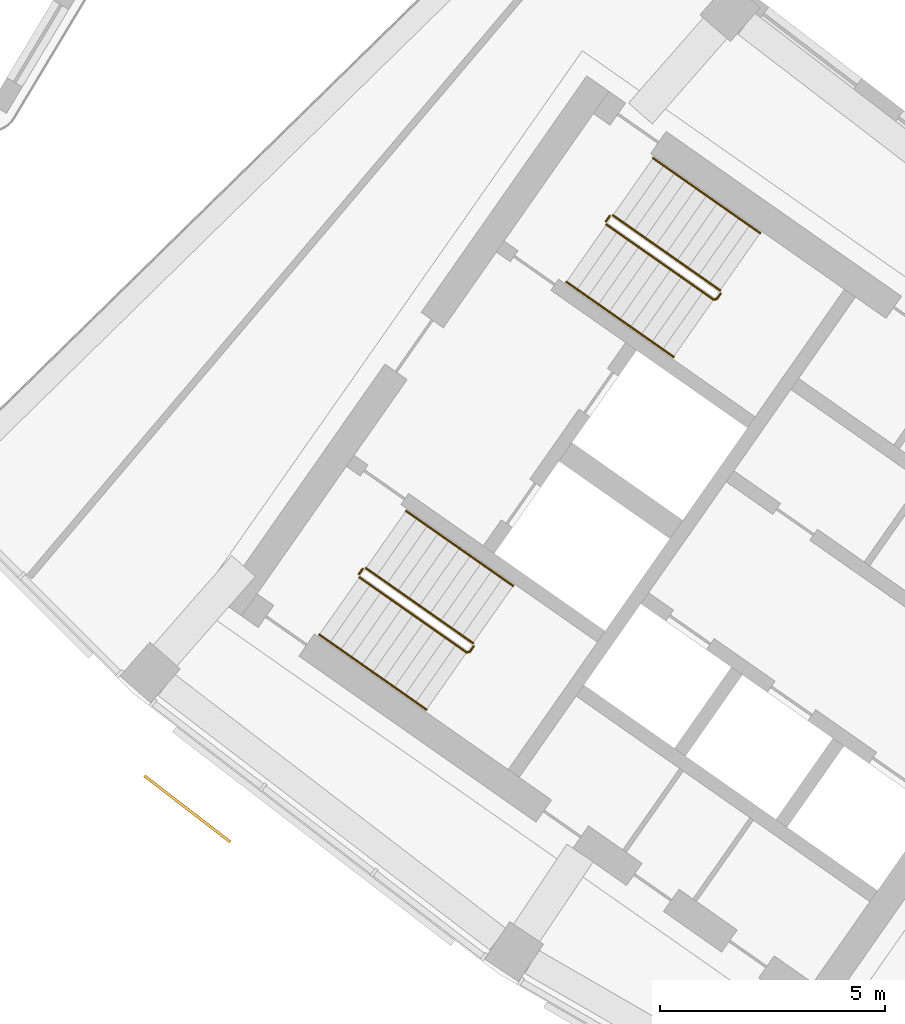
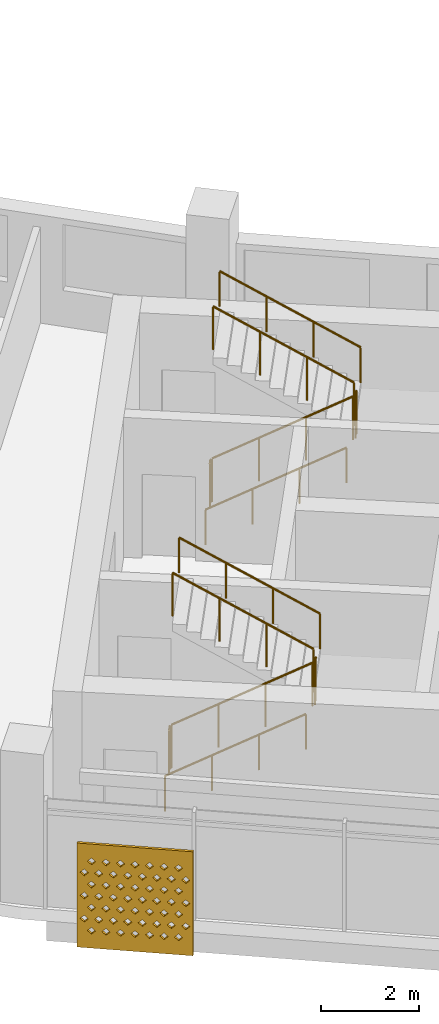
# One storey, part 24 of 29: 10 railings, 1 shading device.
"""IFC4 building model written with IfcOpenShell, lengths in metres."""

from ifc_helpers import new_model, si_unit, direction, frame, origin, origin_2d, place, context, subcontext, project, spatial, polyline, circle, outline, extrude, material, material_profile, profile_set, type_object, element, save


model = new_model("IFC4")

# Units and contexts
model_context = context("Model", 3, precision=1e-05, world=origin(), true_north=direction((0.0, 1.0)))
body_context = subcontext(model_context, "Body", "Model", "MODEL_VIEW")
ifc_project = project(units=[si_unit("LENGTHUNIT", "METRE"), si_unit("AREAUNIT", "SQUARE_METRE"), si_unit("VOLUMEUNIT", "CUBIC_METRE"), si_unit("PLANEANGLEUNIT", "RADIAN"), si_unit("MASSUNIT", "GRAM", prefix="KILO")], contexts=[model_context])

# Site, building, storey
site_placement = place(None, origin())
site = spatial("IfcSite", under=ifc_project, at=site_placement, CompositionType="ELEMENT")
building_placement = place(site_placement, origin())
building = spatial("IfcBuilding", under=site, at=building_placement, Name="Qamariyya Broadcast Tower", CompositionType="ELEMENT")
storey_placement = place(building_placement, frame((0.0, 0.0, 261.89990234375)))
storey = spatial("IfcBuildingStorey", under=building, at=storey_placement, Name="L63", CompositionType="ELEMENT", Elevation=261.89990234375)

# Shading device
ifc_material_1 = material(Name="Perforated glazed terracotta", Category="masonry")
ifc_material_profile = material_profile(ifc_material_1, outline(polyline([(-1.199951171875, -1.300048828125), (1.199951171875, -1.300048828125), (1.199951171875, 1.300048828125), (-1.199951171875, 1.300048828125), (-1.199951171875, -1.300048828125)]), holes=[polyline([(-0.81494140625, -0.86669921875), (-0.89990234375, -0.78173828125), (-0.985107421875, -0.86669921875), (-0.89990234375, -0.95166015625), (-0.81494140625, -0.86669921875)]), polyline([(-0.514892578125, -0.86669921875), (-0.60009765625, -0.78173828125), (-0.68505859375, -0.86669921875), (-0.60009765625, -0.95166015625), (-0.514892578125, -0.86669921875)]), polyline([(-0.215087890625, -0.86669921875), (-0.300048828125, -0.78173828125), (-0.385009765625, -0.86669921875), (-0.300048828125, -0.95166015625), (-0.215087890625, -0.86669921875)]), polyline([(0.0849609375, -0.86669921875), (0.0, -0.78173828125), (-0.0849609375, -0.86669921875), (0.0, -0.95166015625), (0.0849609375, -0.86669921875)]), polyline([(0.385009765625, -0.86669921875), (0.300048828125, -0.78173828125), (0.215087890625, -0.86669921875), (0.300048828125, -0.95166015625), (0.385009765625, -0.86669921875)]), polyline([(0.68505859375, -0.86669921875), (0.60009765625, -0.78173828125), (0.514892578125, -0.86669921875), (0.60009765625, -0.95166015625), (0.68505859375, -0.86669921875)]), polyline([(0.985107421875, -0.86669921875), (0.89990234375, -0.78173828125), (0.81494140625, -0.86669921875), (0.89990234375, -0.95166015625), (0.985107421875, -0.86669921875)]), polyline([(-0.965087890625, -0.577880859375), (-1.050048828125, -0.49267578125), (-1.135009765625, -0.577880859375), (-1.050048828125, -0.662841796875), (-0.965087890625, -0.577880859375)]), polyline([(-0.6650390625, -0.577880859375), (-0.75, -0.49267578125), (-0.8349609375, -0.577880859375), (-0.75, -0.662841796875), (-0.6650390625, -0.577880859375)]), polyline([(-0.364990234375, -0.577880859375), (-0.449951171875, -0.49267578125), (-0.534912109375, -0.577880859375), (-0.449951171875, -0.662841796875), (-0.364990234375, -0.577880859375)]), polyline([(-0.06494140625, -0.577880859375), (-0.14990234375, -0.49267578125), (-0.235107421875, -0.577880859375), (-0.14990234375, -0.662841796875), (-0.06494140625, -0.577880859375)]), polyline([(0.235107421875, -0.577880859375), (0.14990234375, -0.49267578125), (0.06494140625, -0.577880859375), (0.14990234375, -0.662841796875), (0.235107421875, -0.577880859375)]), polyline([(0.534912109375, -0.577880859375), (0.449951171875, -0.49267578125), (0.364990234375, -0.577880859375), (0.449951171875, -0.662841796875), (0.534912109375, -0.577880859375)]), polyline([(0.8349609375, -0.577880859375), (0.75, -0.49267578125), (0.6650390625, -0.577880859375), (0.75, -0.662841796875), (0.8349609375, -0.577880859375)]), polyline([(1.135009765625, -0.577880859375), (1.050048828125, -0.49267578125), (0.965087890625, -0.577880859375), (1.050048828125, -0.662841796875), (1.135009765625, -0.577880859375)]), polyline([(-0.81494140625, -0.288818359375), (-0.89990234375, -0.203857421875), (-0.985107421875, -0.288818359375), (-0.89990234375, -0.373779296875), (-0.81494140625, -0.288818359375)]), polyline([(-0.514892578125, -0.288818359375), (-0.60009765625, -0.203857421875), (-0.68505859375, -0.288818359375), (-0.60009765625, -0.373779296875), (-0.514892578125, -0.288818359375)]), polyline([(-0.215087890625, -0.288818359375), (-0.300048828125, -0.203857421875), (-0.385009765625, -0.288818359375), (-0.300048828125, -0.373779296875), (-0.215087890625, -0.288818359375)]), polyline([(0.0849609375, -0.288818359375), (0.0, -0.203857421875), (-0.0849609375, -0.288818359375), (0.0, -0.373779296875), (0.0849609375, -0.288818359375)]), polyline([(0.385009765625, -0.288818359375), (0.300048828125, -0.203857421875), (0.215087890625, -0.288818359375), (0.300048828125, -0.373779296875), (0.385009765625, -0.288818359375)]), polyline([(0.68505859375, -0.288818359375), (0.60009765625, -0.203857421875), (0.514892578125, -0.288818359375), (0.60009765625, -0.373779296875), (0.68505859375, -0.288818359375)]), polyline([(0.985107421875, -0.288818359375), (0.89990234375, -0.203857421875), (0.81494140625, -0.288818359375), (0.89990234375, -0.373779296875), (0.985107421875, -0.288818359375)]), polyline([(-0.965087890625, 0.0), (-1.050048828125, 0.0849609375), (-1.135009765625, 0.0), (-1.050048828125, -0.0849609375), (-0.965087890625, 0.0)]), polyline([(-0.6650390625, 0.0), (-0.75, 0.0849609375), (-0.8349609375, 0.0), (-0.75, -0.0849609375), (-0.6650390625, 0.0)]), polyline([(-0.364990234375, 0.0), (-0.449951171875, 0.0849609375), (-0.534912109375, 0.0), (-0.449951171875, -0.0849609375), (-0.364990234375, 0.0)]), polyline([(-0.06494140625, 0.0), (-0.14990234375, 0.0849609375), (-0.235107421875, 0.0), (-0.14990234375, -0.0849609375), (-0.06494140625, 0.0)]), polyline([(0.235107421875, 0.0), (0.14990234375, 0.0849609375), (0.06494140625, 0.0), (0.14990234375, -0.0849609375), (0.235107421875, 0.0)]), polyline([(0.534912109375, 0.0), (0.449951171875, 0.0849609375), (0.364990234375, 0.0), (0.449951171875, -0.0849609375), (0.534912109375, 0.0)]), polyline([(0.8349609375, 0.0), (0.75, 0.0849609375), (0.6650390625, 0.0), (0.75, -0.0849609375), (0.8349609375, 0.0)]), polyline([(1.135009765625, 0.0), (1.050048828125, 0.0849609375), (0.965087890625, 0.0), (1.050048828125, -0.0849609375), (1.135009765625, 0.0)]), polyline([(-0.81494140625, 0.288818359375), (-0.89990234375, 0.373779296875), (-0.985107421875, 0.288818359375), (-0.89990234375, 0.203857421875), (-0.81494140625, 0.288818359375)]), polyline([(-0.514892578125, 0.288818359375), (-0.60009765625, 0.373779296875), (-0.68505859375, 0.288818359375), (-0.60009765625, 0.203857421875), (-0.514892578125, 0.288818359375)]), polyline([(-0.215087890625, 0.288818359375), (-0.300048828125, 0.373779296875), (-0.385009765625, 0.288818359375), (-0.300048828125, 0.203857421875), (-0.215087890625, 0.288818359375)]), polyline([(0.0849609375, 0.288818359375), (0.0, 0.373779296875), (-0.0849609375, 0.288818359375), (0.0, 0.203857421875), (0.0849609375, 0.288818359375)]), polyline([(0.385009765625, 0.288818359375), (0.300048828125, 0.373779296875), (0.215087890625, 0.288818359375), (0.300048828125, 0.203857421875), (0.385009765625, 0.288818359375)]), polyline([(0.68505859375, 0.288818359375), (0.60009765625, 0.373779296875), (0.514892578125, 0.288818359375), (0.60009765625, 0.203857421875), (0.68505859375, 0.288818359375)]), polyline([(0.985107421875, 0.288818359375), (0.89990234375, 0.373779296875), (0.81494140625, 0.288818359375), (0.89990234375, 0.203857421875), (0.985107421875, 0.288818359375)]), polyline([(-0.965087890625, 0.577880859375), (-1.050048828125, 0.662841796875), (-1.135009765625, 0.577880859375), (-1.050048828125, 0.49267578125), (-0.965087890625, 0.577880859375)]), polyline([(-0.6650390625, 0.577880859375), (-0.75, 0.662841796875), (-0.8349609375, 0.577880859375), (-0.75, 0.49267578125), (-0.6650390625, 0.577880859375)]), polyline([(-0.364990234375, 0.577880859375), (-0.449951171875, 0.662841796875), (-0.534912109375, 0.577880859375), (-0.449951171875, 0.49267578125), (-0.364990234375, 0.577880859375)]), polyline([(-0.06494140625, 0.577880859375), (-0.14990234375, 0.662841796875), (-0.235107421875, 0.577880859375), (-0.14990234375, 0.49267578125), (-0.06494140625, 0.577880859375)]), polyline([(0.235107421875, 0.577880859375), (0.14990234375, 0.662841796875), (0.06494140625, 0.577880859375), (0.14990234375, 0.49267578125), (0.235107421875, 0.577880859375)]), polyline([(0.534912109375, 0.577880859375), (0.449951171875, 0.662841796875), (0.364990234375, 0.577880859375), (0.449951171875, 0.49267578125), (0.534912109375, 0.577880859375)]), polyline([(0.8349609375, 0.577880859375), (0.75, 0.662841796875), (0.6650390625, 0.577880859375), (0.75, 0.49267578125), (0.8349609375, 0.577880859375)]), polyline([(1.135009765625, 0.577880859375), (1.050048828125, 0.662841796875), (0.965087890625, 0.577880859375), (1.050048828125, 0.49267578125), (1.135009765625, 0.577880859375)]), polyline([(-0.81494140625, 0.86669921875), (-0.89990234375, 0.95166015625), (-0.985107421875, 0.86669921875), (-0.89990234375, 0.78173828125), (-0.81494140625, 0.86669921875)]), polyline([(-0.514892578125, 0.86669921875), (-0.60009765625, 0.95166015625), (-0.68505859375, 0.86669921875), (-0.60009765625, 0.78173828125), (-0.514892578125, 0.86669921875)]), polyline([(-0.215087890625, 0.86669921875), (-0.300048828125, 0.95166015625), (-0.385009765625, 0.86669921875), (-0.300048828125, 0.78173828125), (-0.215087890625, 0.86669921875)]), polyline([(0.0849609375, 0.86669921875), (0.0, 0.95166015625), (-0.0849609375, 0.86669921875), (0.0, 0.78173828125), (0.0849609375, 0.86669921875)]), polyline([(0.385009765625, 0.86669921875), (0.300048828125, 0.95166015625), (0.215087890625, 0.86669921875), (0.300048828125, 0.78173828125), (0.385009765625, 0.86669921875)]), polyline([(0.68505859375, 0.86669921875), (0.60009765625, 0.95166015625), (0.514892578125, 0.86669921875), (0.60009765625, 0.78173828125), (0.68505859375, 0.86669921875)]), polyline([(0.985107421875, 0.86669921875), (0.89990234375, 0.95166015625), (0.81494140625, 0.86669921875), (0.89990234375, 0.78173828125), (0.985107421875, 0.86669921875)])]))
ifc_profile_set = profile_set([ifc_material_profile], Name="Perforated glazed terracotta")
shading_device_type = type_object("IfcShadingDeviceType", Name="Perforated terracotta screen 2400 x 2600", PredefinedType="USERDEFINED", material=ifc_profile_set)
shading_device_placement = place(storey_placement, frame((-50.4248046875, -61.455078125, 1.35009765625), z_axis=(-0.60971076085, -0.792623989105, 0.0), x_axis=(0.792623989105, -0.60971076085, 0.0)))
element("IfcShadingDevice", 1, at=shading_device_placement, inside=storey, type_object=shading_device_type, Name="e-scr-L63-02-0", ObjectType="SCREEN", PredefinedType="USERDEFINED", context=body_context, shape_type="SweptSolid", body=[
    extrude(outline(polyline([(-1.199951171875, -1.300048828125), (1.199951171875, -1.300048828125), (1.199951171875, 1.300048828125), (-1.199951171875, 1.300048828125), (-1.199951171875, -1.300048828125)]), holes=[polyline([(-0.81494140625, -0.86669921875), (-0.89990234375, -0.78173828125), (-0.985107421875, -0.86669921875), (-0.89990234375, -0.95166015625), (-0.81494140625, -0.86669921875)]), polyline([(-0.514892578125, -0.86669921875), (-0.60009765625, -0.78173828125), (-0.68505859375, -0.86669921875), (-0.60009765625, -0.95166015625), (-0.514892578125, -0.86669921875)]), polyline([(-0.215087890625, -0.86669921875), (-0.300048828125, -0.78173828125), (-0.385009765625, -0.86669921875), (-0.300048828125, -0.95166015625), (-0.215087890625, -0.86669921875)]), polyline([(0.0849609375, -0.86669921875), (0.0, -0.78173828125), (-0.0849609375, -0.86669921875), (0.0, -0.95166015625), (0.0849609375, -0.86669921875)]), polyline([(0.385009765625, -0.86669921875), (0.300048828125, -0.78173828125), (0.215087890625, -0.86669921875), (0.300048828125, -0.95166015625), (0.385009765625, -0.86669921875)]), polyline([(0.68505859375, -0.86669921875), (0.60009765625, -0.78173828125), (0.514892578125, -0.86669921875), (0.60009765625, -0.95166015625), (0.68505859375, -0.86669921875)]), polyline([(0.985107421875, -0.86669921875), (0.89990234375, -0.78173828125), (0.81494140625, -0.86669921875), (0.89990234375, -0.95166015625), (0.985107421875, -0.86669921875)]), polyline([(-0.965087890625, -0.577880859375), (-1.050048828125, -0.49267578125), (-1.135009765625, -0.577880859375), (-1.050048828125, -0.662841796875), (-0.965087890625, -0.577880859375)]), polyline([(-0.6650390625, -0.577880859375), (-0.75, -0.49267578125), (-0.8349609375, -0.577880859375), (-0.75, -0.662841796875), (-0.6650390625, -0.577880859375)]), polyline([(-0.364990234375, -0.577880859375), (-0.449951171875, -0.49267578125), (-0.534912109375, -0.577880859375), (-0.449951171875, -0.662841796875), (-0.364990234375, -0.577880859375)]), polyline([(-0.06494140625, -0.577880859375), (-0.14990234375, -0.49267578125), (-0.235107421875, -0.577880859375), (-0.14990234375, -0.662841796875), (-0.06494140625, -0.577880859375)]), polyline([(0.235107421875, -0.577880859375), (0.14990234375, -0.49267578125), (0.06494140625, -0.577880859375), (0.14990234375, -0.662841796875), (0.235107421875, -0.577880859375)]), polyline([(0.534912109375, -0.577880859375), (0.449951171875, -0.49267578125), (0.364990234375, -0.577880859375), (0.449951171875, -0.662841796875), (0.534912109375, -0.577880859375)]), polyline([(0.8349609375, -0.577880859375), (0.75, -0.49267578125), (0.6650390625, -0.577880859375), (0.75, -0.662841796875), (0.8349609375, -0.577880859375)]), polyline([(1.135009765625, -0.577880859375), (1.050048828125, -0.49267578125), (0.965087890625, -0.577880859375), (1.050048828125, -0.662841796875), (1.135009765625, -0.577880859375)]), polyline([(-0.81494140625, -0.288818359375), (-0.89990234375, -0.203857421875), (-0.985107421875, -0.288818359375), (-0.89990234375, -0.373779296875), (-0.81494140625, -0.288818359375)]), polyline([(-0.514892578125, -0.288818359375), (-0.60009765625, -0.203857421875), (-0.68505859375, -0.288818359375), (-0.60009765625, -0.373779296875), (-0.514892578125, -0.288818359375)]), polyline([(-0.215087890625, -0.288818359375), (-0.300048828125, -0.203857421875), (-0.385009765625, -0.288818359375), (-0.300048828125, -0.373779296875), (-0.215087890625, -0.288818359375)]), polyline([(0.0849609375, -0.288818359375), (0.0, -0.203857421875), (-0.0849609375, -0.288818359375), (0.0, -0.373779296875), (0.0849609375, -0.288818359375)]), polyline([(0.385009765625, -0.288818359375), (0.300048828125, -0.203857421875), (0.215087890625, -0.288818359375), (0.300048828125, -0.373779296875), (0.385009765625, -0.288818359375)]), polyline([(0.68505859375, -0.288818359375), (0.60009765625, -0.203857421875), (0.514892578125, -0.288818359375), (0.60009765625, -0.373779296875), (0.68505859375, -0.288818359375)]), polyline([(0.985107421875, -0.288818359375), (0.89990234375, -0.203857421875), (0.81494140625, -0.288818359375), (0.89990234375, -0.373779296875), (0.985107421875, -0.288818359375)]), polyline([(-0.965087890625, 0.0), (-1.050048828125, 0.0849609375), (-1.135009765625, 0.0), (-1.050048828125, -0.0849609375), (-0.965087890625, 0.0)]), polyline([(-0.6650390625, 0.0), (-0.75, 0.0849609375), (-0.8349609375, 0.0), (-0.75, -0.0849609375), (-0.6650390625, 0.0)]), polyline([(-0.364990234375, 0.0), (-0.449951171875, 0.0849609375), (-0.534912109375, 0.0), (-0.449951171875, -0.0849609375), (-0.364990234375, 0.0)]), polyline([(-0.06494140625, 0.0), (-0.14990234375, 0.0849609375), (-0.235107421875, 0.0), (-0.14990234375, -0.0849609375), (-0.06494140625, 0.0)]), polyline([(0.235107421875, 0.0), (0.14990234375, 0.0849609375), (0.06494140625, 0.0), (0.14990234375, -0.0849609375), (0.235107421875, 0.0)]), polyline([(0.534912109375, 0.0), (0.449951171875, 0.0849609375), (0.364990234375, 0.0), (0.449951171875, -0.0849609375), (0.534912109375, 0.0)]), polyline([(0.8349609375, 0.0), (0.75, 0.0849609375), (0.6650390625, 0.0), (0.75, -0.0849609375), (0.8349609375, 0.0)]), polyline([(1.135009765625, 0.0), (1.050048828125, 0.0849609375), (0.965087890625, 0.0), (1.050048828125, -0.0849609375), (1.135009765625, 0.0)]), polyline([(-0.81494140625, 0.288818359375), (-0.89990234375, 0.373779296875), (-0.985107421875, 0.288818359375), (-0.89990234375, 0.203857421875), (-0.81494140625, 0.288818359375)]), polyline([(-0.514892578125, 0.288818359375), (-0.60009765625, 0.373779296875), (-0.68505859375, 0.288818359375), (-0.60009765625, 0.203857421875), (-0.514892578125, 0.288818359375)]), polyline([(-0.215087890625, 0.288818359375), (-0.300048828125, 0.373779296875), (-0.385009765625, 0.288818359375), (-0.300048828125, 0.203857421875), (-0.215087890625, 0.288818359375)]), polyline([(0.0849609375, 0.288818359375), (0.0, 0.373779296875), (-0.0849609375, 0.288818359375), (0.0, 0.203857421875), (0.0849609375, 0.288818359375)]), polyline([(0.385009765625, 0.288818359375), (0.300048828125, 0.373779296875), (0.215087890625, 0.288818359375), (0.300048828125, 0.203857421875), (0.385009765625, 0.288818359375)]), polyline([(0.68505859375, 0.288818359375), (0.60009765625, 0.373779296875), (0.514892578125, 0.288818359375), (0.60009765625, 0.203857421875), (0.68505859375, 0.288818359375)]), polyline([(0.985107421875, 0.288818359375), (0.89990234375, 0.373779296875), (0.81494140625, 0.288818359375), (0.89990234375, 0.203857421875), (0.985107421875, 0.288818359375)]), polyline([(-0.965087890625, 0.577880859375), (-1.050048828125, 0.662841796875), (-1.135009765625, 0.577880859375), (-1.050048828125, 0.49267578125), (-0.965087890625, 0.577880859375)]), polyline([(-0.6650390625, 0.577880859375), (-0.75, 0.662841796875), (-0.8349609375, 0.577880859375), (-0.75, 0.49267578125), (-0.6650390625, 0.577880859375)]), polyline([(-0.364990234375, 0.577880859375), (-0.449951171875, 0.662841796875), (-0.534912109375, 0.577880859375), (-0.449951171875, 0.49267578125), (-0.364990234375, 0.577880859375)]), polyline([(-0.06494140625, 0.577880859375), (-0.14990234375, 0.662841796875), (-0.235107421875, 0.577880859375), (-0.14990234375, 0.49267578125), (-0.06494140625, 0.577880859375)]), polyline([(0.235107421875, 0.577880859375), (0.14990234375, 0.662841796875), (0.06494140625, 0.577880859375), (0.14990234375, 0.49267578125), (0.235107421875, 0.577880859375)]), polyline([(0.534912109375, 0.577880859375), (0.449951171875, 0.662841796875), (0.364990234375, 0.577880859375), (0.449951171875, 0.49267578125), (0.534912109375, 0.577880859375)]), polyline([(0.8349609375, 0.577880859375), (0.75, 0.662841796875), (0.6650390625, 0.577880859375), (0.75, 0.49267578125), (0.8349609375, 0.577880859375)]), polyline([(1.135009765625, 0.577880859375), (1.050048828125, 0.662841796875), (0.965087890625, 0.577880859375), (1.050048828125, 0.49267578125), (1.135009765625, 0.577880859375)]), polyline([(-0.81494140625, 0.86669921875), (-0.89990234375, 0.95166015625), (-0.985107421875, 0.86669921875), (-0.89990234375, 0.78173828125), (-0.81494140625, 0.86669921875)]), polyline([(-0.514892578125, 0.86669921875), (-0.60009765625, 0.95166015625), (-0.68505859375, 0.86669921875), (-0.60009765625, 0.78173828125), (-0.514892578125, 0.86669921875)]), polyline([(-0.215087890625, 0.86669921875), (-0.300048828125, 0.95166015625), (-0.385009765625, 0.86669921875), (-0.300048828125, 0.78173828125), (-0.215087890625, 0.86669921875)]), polyline([(0.0849609375, 0.86669921875), (0.0, 0.95166015625), (-0.0849609375, 0.86669921875), (0.0, 0.78173828125), (0.0849609375, 0.86669921875)]), polyline([(0.385009765625, 0.86669921875), (0.300048828125, 0.95166015625), (0.215087890625, 0.86669921875), (0.300048828125, 0.78173828125), (0.385009765625, 0.86669921875)]), polyline([(0.68505859375, 0.86669921875), (0.60009765625, 0.95166015625), (0.514892578125, 0.86669921875), (0.60009765625, 0.78173828125), (0.68505859375, 0.86669921875)]), polyline([(0.985107421875, 0.86669921875), (0.89990234375, 0.95166015625), (0.81494140625, 0.86669921875), (0.89990234375, 0.78173828125), (0.985107421875, 0.86669921875)])]), origin(), (0.0, 0.0, 1.0), 0.06005859375),
])

# Railings
ifc_material_2 = material(Name="Painted steel", Category="steel")
railing_type_1 = type_object("IfcRailingType", Name="Stair guard", PredefinedType="GUARDRAIL", material=ifc_material_2)
railing_1_placement = place(storey_placement, frame((-41.146728515625, -48.52490234375, 0.1728515625)))
element("IfcRailing", 2, at=railing_1_placement, inside=storey, type_object=railing_type_1, Name="L63 ST-W2 stair guard 1", PredefinedType="GUARDRAIL", context=body_context, shape_type="SweptSolid", body=[
    extrude(circle(Radius=0.02392578125, at=origin_2d()), frame((0.0, 0.0, 1.076171875), z_axis=(0.703770094002, -0.492783725636, 0.511734163933), x_axis=(0.573575343427, 0.819152809562, 0.0)), (0.0, 0.0, 1.0), 3.37548828125),
    extrude(circle(Radius=0.02392578125, at=origin_2d()), frame((2.37548828125, -1.663330078125, 2.80322265625), z_axis=(0.985059694769, 0.172213233351, 0.0), x_axis=(-0.172213233351, 0.985059694769, 0.0)), (0.0, 0.0, 1.0), 0.07080078125),
    extrude(circle(Radius=0.02392578125, at=origin_2d()), frame((2.4453125, -1.651123046875, 2.80322265625), z_axis=(0.572588637393, 0.819842821722, 0.0), x_axis=(-0.819842821722, 0.572588637393, 0.0)), (0.0, 0.0, 1.0), 0.150146484375),
    extrude(circle(Radius=0.02099609375, at=origin_2d()), origin(), (0.0, 0.0, 1.0), 1.052001953125),
    extrude(circle(Radius=0.02099609375, at=origin_2d()), frame((0.791748046875, -0.554443359375, 0.57568359375)), (0.0, 0.0, 1.0), 1.052001953125),
    extrude(circle(Radius=0.02099609375, at=origin_2d()), frame((1.583740234375, -1.10888671875, 1.151611328125)), (0.0, 0.0, 1.0), 1.052001953125),
    extrude(circle(Radius=0.02099609375, at=origin_2d()), frame((2.37548828125, -1.663330078125, 1.727294921875)), (0.0, 0.0, 1.0), 1.052001953125),
    extrude(circle(Radius=0.02099609375, at=origin_2d()), frame((2.4453125, -1.651123046875, 1.727294921875)), (0.0, 0.0, 1.0), 1.052001953125),
    extrude(circle(Radius=0.02099609375, at=origin_2d()), frame((2.53125, -1.528076171875, 1.727294921875)), (0.0, 0.0, 1.0), 1.052001953125),
])
railing_2_placement = place(storey_placement, frame((-38.627685546875, -49.9833984375, 2.07275390625)))
element("IfcRailing", 3, at=railing_2_placement, inside=storey, type_object=railing_type_1, Name="L63 ST-W2 stair guard 2", PredefinedType="GUARDRAIL", context=body_context, shape_type="SweptSolid", body=[
    extrude(circle(Radius=0.02392578125, at=origin_2d()), frame((0.0, 0.0, 1.076171875), z_axis=(-0.703770094002, 0.492783725636, 0.511734163933), x_axis=(-0.573575343427, -0.819152809562, 0.0)), (0.0, 0.0, 1.0), 3.37548828125),
    extrude(circle(Radius=0.02099609375, at=origin_2d()), origin(), (0.0, 0.0, 1.0), 1.052001953125),
    extrude(circle(Radius=0.02099609375, at=origin_2d()), frame((-0.791748046875, 0.554443359375, 0.57568359375)), (0.0, 0.0, 1.0), 1.052001953125),
    extrude(circle(Radius=0.02099609375, at=origin_2d()), frame((-1.583740234375, 1.10888671875, 1.151611328125)), (0.0, 0.0, 1.0), 1.052001953125),
    extrude(circle(Radius=0.02099609375, at=origin_2d()), frame((-2.37548828125, 1.663330078125, 1.727294921875)), (0.0, 0.0, 1.0), 1.052001953125),
])
railing_3_placement = place(storey_placement, frame((-41.158935546875, -48.455322265625, 0.0)))
element("IfcRailing", 4, at=railing_3_placement, inside=storey, type_object=railing_type_1, Name="L63 ST-W2 stair guard 3", PredefinedType="GUARDRAIL", context=body_context, shape_type="SweptSolid", body=[
    extrude(circle(Radius=0.02392578125, at=origin_2d()), frame((0.0, 0.0, 1.076171875), z_axis=(0.572588637393, 0.819842821722, 0.0), x_axis=(-0.819842821722, 0.572588637393, 0.0)), (0.0, 0.0, 1.0), 0.150146484375),
    extrude(circle(Radius=0.02099609375, at=origin_2d()), origin(), (0.0, 0.0, 1.0), 1.052001953125),
    extrude(circle(Radius=0.02099609375, at=origin_2d()), frame((0.0859375, 0.123046875, 0.0)), (0.0, 0.0, 1.0), 1.052001953125),
])
railing_4_placement = place(storey_placement, frame((-46.624267578125, -56.34765625, 0.1728515625)))
element("IfcRailing", 5, at=railing_4_placement, inside=storey, type_object=railing_type_1, Name="L63 ST-W1 stair guard 1", PredefinedType="GUARDRAIL", context=body_context, shape_type="SweptSolid", body=[
    extrude(circle(Radius=0.02392578125, at=origin_2d()), frame((0.0, 0.0, 1.076171875), z_axis=(0.703745009021, -0.492838488332, 0.511715923826), x_axis=(0.573631830683, 0.819113253969, 0.0)), (0.0, 0.0, 1.0), 3.37548828125),
    extrude(circle(Radius=0.02392578125, at=origin_2d()), frame((2.37548828125, -1.66357421875, 2.80322265625), z_axis=(0.984363469884, 0.176149252506, 0.0), x_axis=(-0.176149252506, 0.984363469884, 0.0)), (0.0, 0.0, 1.0), 0.07080078125),
    extrude(circle(Radius=0.02392578125, at=origin_2d()), frame((2.445068359375, -1.651123046875, 2.80322265625), z_axis=(0.574444878118, 0.818543268254, 0.0), x_axis=(-0.818543268254, 0.574444878118, 0.0)), (0.0, 0.0, 1.0), 0.150146484375),
    extrude(circle(Radius=0.02099609375, at=origin_2d()), origin(), (0.0, 0.0, 1.0), 1.052001953125),
    extrude(circle(Radius=0.02099609375, at=origin_2d()), frame((0.791748046875, -0.554443359375, 0.57568359375)), (0.0, 0.0, 1.0), 1.052001953125),
    extrude(circle(Radius=0.02099609375, at=origin_2d()), frame((1.583740234375, -1.109130859375, 1.151611328125)), (0.0, 0.0, 1.0), 1.052001953125),
    extrude(circle(Radius=0.02099609375, at=origin_2d()), frame((2.37548828125, -1.66357421875, 1.727294921875)), (0.0, 0.0, 1.0), 1.052001953125),
    extrude(circle(Radius=0.02099609375, at=origin_2d()), frame((2.445068359375, -1.651123046875, 1.727294921875)), (0.0, 0.0, 1.0), 1.052001953125),
    extrude(circle(Radius=0.02099609375, at=origin_2d()), frame((2.53125, -1.5283203125, 1.727294921875)), (0.0, 0.0, 1.0), 1.052001953125),
])
railing_5_placement = place(storey_placement, frame((-44.10546875, -57.806396484375, 2.07275390625)))
element("IfcRailing", 6, at=railing_5_placement, inside=storey, type_object=railing_type_1, Name="L63 ST-W1 stair guard 2", PredefinedType="GUARDRAIL", context=body_context, shape_type="SweptSolid", body=[
    extrude(circle(Radius=0.02392578125, at=origin_2d()), frame((0.0, 0.0, 1.076171875), z_axis=(-0.703770094002, 0.492783725636, 0.511734163933), x_axis=(-0.573575343427, -0.819152809562, 0.0)), (0.0, 0.0, 1.0), 3.37548828125),
    extrude(circle(Radius=0.02099609375, at=origin_2d()), origin(), (0.0, 0.0, 1.0), 1.052001953125),
    extrude(circle(Radius=0.02099609375, at=origin_2d()), frame((-0.791748046875, 0.554443359375, 0.57568359375)), (0.0, 0.0, 1.0), 1.052001953125),
    extrude(circle(Radius=0.02099609375, at=origin_2d()), frame((-1.583740234375, 1.10888671875, 1.151611328125)), (0.0, 0.0, 1.0), 1.052001953125),
    extrude(circle(Radius=0.02099609375, at=origin_2d()), frame((-2.37548828125, 1.663330078125, 1.727294921875)), (0.0, 0.0, 1.0), 1.052001953125),
])
railing_6_placement = place(storey_placement, frame((-46.63671875, -56.278076171875, 0.0)))
element("IfcRailing", 7, at=railing_6_placement, inside=storey, type_object=railing_type_1, Name="L63 ST-W1 stair guard 3", PredefinedType="GUARDRAIL", context=body_context, shape_type="SweptSolid", body=[
    extrude(circle(Radius=0.02392578125, at=origin_2d()), frame((0.0, 0.0, 1.076171875), z_axis=(0.574444878118, 0.818543268254, 0.0), x_axis=(-0.818543268254, 0.574444878118, 0.0)), (0.0, 0.0, 1.0), 0.150146484375),
    extrude(circle(Radius=0.02099609375, at=origin_2d()), origin(), (0.0, 0.0, 1.0), 1.052001953125),
    extrude(circle(Radius=0.02099609375, at=origin_2d()), frame((0.086181640625, 0.122802734375, 0.0)), (0.0, 0.0, 1.0), 1.052001953125),
])
ifc_material_3 = material(Name="Stainless steel", Category="steel")
railing_type_2 = type_object("IfcRailingType", Name="Stair handrail", PredefinedType="HANDRAIL", material=ifc_material_3)
railing_7_placement = place(storey_placement, frame((-42.03564453125, -49.79443359375, 0.1728515625)))
element("IfcRailing", 8, at=railing_7_placement, inside=storey, type_object=railing_type_2, Name="L63 ST-W2 stair handrail 1", PredefinedType="HANDRAIL", context=body_context, shape_type="SweptSolid", body=[
    extrude(circle(Radius=0.02392578125, at=origin_2d()), frame((0.0, 0.0, 0.8759765625), z_axis=(0.703745009021, -0.492838488332, 0.511715923826), x_axis=(0.573631830683, 0.819113253969, 0.0)), (0.0, 0.0, 1.0), 3.37548828125),
    extrude(circle(Radius=0.02099609375, at=origin_2d()), origin(), (0.0, 0.0, 1.0), 0.851806640625),
    extrude(circle(Radius=0.02099609375, at=origin_2d()), frame((0.791748046875, -0.554443359375, 0.57568359375)), (0.0, 0.0, 1.0), 0.851806640625),
    extrude(circle(Radius=0.02099609375, at=origin_2d()), frame((1.583740234375, -1.109130859375, 1.151611328125)), (0.0, 0.0, 1.0), 0.851806640625),
    extrude(circle(Radius=0.02099609375, at=origin_2d()), frame((2.37548828125, -1.66357421875, 1.727294921875)), (0.0, 0.0, 1.0), 0.851806640625),
])
railing_8_placement = place(storey_placement, frame((-37.73876953125, -48.7138671875, 2.07275390625)))
element("IfcRailing", 9, at=railing_8_placement, inside=storey, type_object=railing_type_2, Name="L63 ST-W2 stair handrail 2", PredefinedType="HANDRAIL", context=body_context, shape_type="SweptSolid", body=[
    extrude(circle(Radius=0.02392578125, at=origin_2d()), frame((0.0, 0.0, 0.8759765625), z_axis=(-0.703745009021, 0.492838488332, 0.511715923826), x_axis=(-0.573631830683, -0.819113253969, 0.0)), (0.0, 0.0, 1.0), 3.37548828125),
    extrude(circle(Radius=0.02099609375, at=origin_2d()), origin(), (0.0, 0.0, 1.0), 0.851806640625),
    extrude(circle(Radius=0.02099609375, at=origin_2d()), frame((-0.791748046875, 0.554443359375, 0.57568359375)), (0.0, 0.0, 1.0), 0.851806640625),
    extrude(circle(Radius=0.02099609375, at=origin_2d()), frame((-1.583740234375, 1.109130859375, 1.151611328125)), (0.0, 0.0, 1.0), 0.851806640625),
    extrude(circle(Radius=0.02099609375, at=origin_2d()), frame((-2.37548828125, 1.66357421875, 1.727294921875)), (0.0, 0.0, 1.0), 0.851806640625),
])
railing_9_placement = place(storey_placement, frame((-47.513427734375, -57.617431640625, 0.1728515625)))
element("IfcRailing", 10, at=railing_9_placement, inside=storey, type_object=railing_type_2, Name="L63 ST-W1 stair handrail 1", PredefinedType="HANDRAIL", context=body_context, shape_type="SweptSolid", body=[
    extrude(circle(Radius=0.02392578125, at=origin_2d()), frame((0.0, 0.0, 0.8759765625), z_axis=(0.703770094002, -0.492783725636, 0.511734163933), x_axis=(0.573575343427, 0.819152809562, 0.0)), (0.0, 0.0, 1.0), 3.37548828125),
    extrude(circle(Radius=0.02099609375, at=origin_2d()), origin(), (0.0, 0.0, 1.0), 0.851806640625),
    extrude(circle(Radius=0.02099609375, at=origin_2d()), frame((0.791748046875, -0.554443359375, 0.57568359375)), (0.0, 0.0, 1.0), 0.851806640625),
    extrude(circle(Radius=0.02099609375, at=origin_2d()), frame((1.583740234375, -1.10888671875, 1.151611328125)), (0.0, 0.0, 1.0), 0.851806640625),
    extrude(circle(Radius=0.02099609375, at=origin_2d()), frame((2.37548828125, -1.663330078125, 1.727294921875)), (0.0, 0.0, 1.0), 0.851806640625),
])
railing_10_placement = place(storey_placement, frame((-43.21630859375, -56.53662109375, 2.07275390625)))
element("IfcRailing", 11, at=railing_10_placement, inside=storey, type_object=railing_type_2, Name="L63 ST-W1 stair handrail 2", PredefinedType="HANDRAIL", context=body_context, shape_type="SweptSolid", body=[
    extrude(circle(Radius=0.02392578125, at=origin_2d()), frame((0.0, 0.0, 0.8759765625), z_axis=(-0.703770094002, 0.492783725636, 0.511734163933), x_axis=(-0.573575343427, -0.819152809562, 0.0)), (0.0, 0.0, 1.0), 3.37548828125),
    extrude(circle(Radius=0.02099609375, at=origin_2d()), origin(), (0.0, 0.0, 1.0), 0.851806640625),
    extrude(circle(Radius=0.02099609375, at=origin_2d()), frame((-0.791748046875, 0.554443359375, 0.57568359375)), (0.0, 0.0, 1.0), 0.851806640625),
    extrude(circle(Radius=0.02099609375, at=origin_2d()), frame((-1.583740234375, 1.10888671875, 1.151611328125)), (0.0, 0.0, 1.0), 0.851806640625),
    extrude(circle(Radius=0.02099609375, at=origin_2d()), frame((-2.37548828125, 1.663330078125, 1.727294921875)), (0.0, 0.0, 1.0), 0.851806640625),
])

save(model, "model.ifc")
